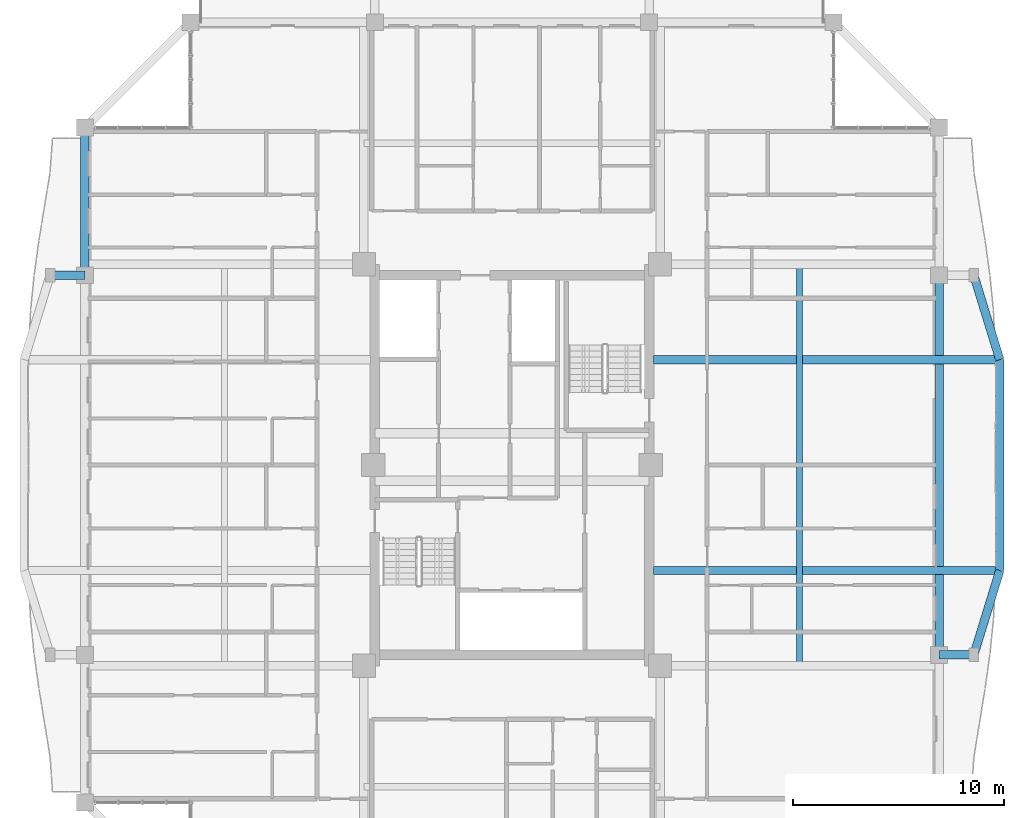
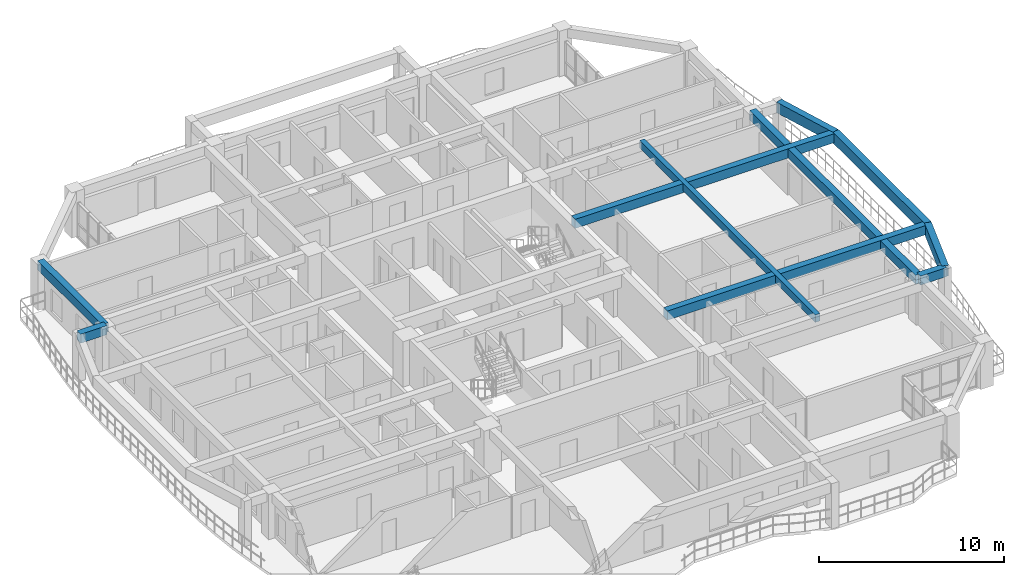
# One storey, part 5 of 21: 10 beams.
"""IFC4 building model written with IfcOpenShell, lengths in metres."""

from ifc_helpers import new_model, si_unit, direction, frame, origin, origin_2d, place, context, subcontext, project, spatial, rectangle, extrude, source, transform, mapped, material, material_profile, profile_set, type_object, element, save


model = new_model("IFC4")

# Units and contexts
model_context = context("Model", 3, precision=1e-05, world=origin(), true_north=direction((0.0, 1.0)))
body_context = subcontext(model_context, "Body", "Model", "MODEL_VIEW")
ifc_project = project(units=[si_unit("LENGTHUNIT", "METRE"), si_unit("AREAUNIT", "SQUARE_METRE"), si_unit("VOLUMEUNIT", "CUBIC_METRE"), si_unit("PLANEANGLEUNIT", "RADIAN"), si_unit("MASSUNIT", "GRAM", prefix="KILO")], contexts=[model_context])

# Site, building, storey
site_placement = place(None, origin())
site = spatial("IfcSite", under=ifc_project, at=site_placement, CompositionType="ELEMENT")
building_placement = place(site_placement, origin())
building = spatial("IfcBuilding", under=site, at=building_placement, Name="Saelheon Loggia Tower", CompositionType="ELEMENT")
storey_placement = place(building_placement, frame((0.0, 0.0, 186.699951171875)))
storey = spatial("IfcBuildingStorey", under=building, at=storey_placement, Name="L58", CompositionType="ELEMENT", Elevation=186.699951171875)

# Beams
ifc_material_1 = material(Name="Concrete C40/50", Category="concrete")
ifc_material_profile_1 = material_profile(ifc_material_1, rectangle(XDim=0.300048828125, YDim=0.5, at=origin_2d()), Name="RC-300x500")
ifc_profile_set_1 = profile_set([ifc_material_profile_1], Name="Concrete C40/50")
beam_type_1 = type_object("IfcBeamType", Name="Beam_Joist_RC300x500", PredefinedType="JOIST", material=ifc_profile_set_1)
shared_shape_1 = source(origin(), body_context, "Body", "SweptSolid", [
    extrude(rectangle(XDim=0.300048828125, YDim=0.5, at=origin_2d()), origin(), (0.0, 0.0, 1.0), 19.0400390625),
])
beam_1_placement = place(storey_placement, frame((51.635009765625, 17.47998046875, 2.75), z_axis=(0.0, 1.0, 0.0), x_axis=(-1.0, 0.0, 0.0)))
element("IfcBeam", 1, at=beam_1_placement, inside=storey, type_object=beam_type_1, Name="L58 East Floor Joist", PredefinedType="JOIST", context=body_context, shape_type="MappedRepresentation", body=[
    mapped(shared_shape_1, transform((0.0, 0.0, 0.0), scale=1.0)),
])
ifc_material_2 = material(Name="Precast Concrete C45/55", Category="concrete")
ifc_material_profile_2 = material_profile(ifc_material_2, rectangle(XDim=0.39990234375, YDim=0.60009765625, at=origin_2d()), Name="RC-400x600")
ifc_profile_set_2 = profile_set([ifc_material_profile_2], Name="Precast Concrete C45/55")
beam_type_2 = type_object("IfcBeamType", Name="Beam_LoggiaTie_RC400x600", PredefinedType="BEAM", material=ifc_profile_set_2)
shared_shape_2 = source(origin(), body_context, "Body", "SweptSolid", [
    extrude(rectangle(XDim=0.39990234375, YDim=0.60009765625, at=origin_2d()), origin(), (0.0, 0.0, 1.0), 1.64990234375),
])
for number, where, z_axis, x_axis, name in (
    (2, (58.25, 18.0, 2.699951171875), (1.0, 0.0, 0.0), (0.0, 1.0, 0.0), "L58 Loggia Frame Tie Beam LP-E1"),
    (3, (17.75, 36.0, 2.699951171875), (-1.0, 0.0, 0.0), (0.0, -1.0, 0.0), "L58 Loggia Frame Tie Beam LP-W2"),
):
    element("IfcBeam", number, at=place(storey_placement, frame(where, z_axis=z_axis, x_axis=x_axis)), inside=storey, type_object=beam_type_2, Name=name, PredefinedType="BEAM", context=body_context, shape_type="MappedRepresentation", body=[
        mapped(shared_shape_2, transform((0.0, 0.0, 0.0), scale=1.0)),
    ])
shared_shape_3 = source(origin(), body_context, "Body", "SweptSolid", [
    extrude(rectangle(XDim=0.39990234375, YDim=0.60009765625, at=origin_2d()), origin(), (0.0, 0.0, 1.0), 16.409912109375),
])
for number, where, z_axis, x_axis, name in (
    (4, (44.719970703125, 22.0, 2.699951171875), (1.0, 0.0, 0.0), (0.0, 1.0, 0.0), "L58 Curved Facade Outrigger Beam E 1"),
    (5, (44.719970703125, 32.0, 2.699951171875), (1.0, 0.0, 0.0), (0.0, 1.0, 0.0), "L58 Curved Facade Outrigger Beam E 2"),
):
    element("IfcBeam", number, at=place(storey_placement, frame(where, z_axis=z_axis, x_axis=x_axis)), inside=storey, type_object=beam_type_2, Name=name, PredefinedType="BEAM", context=body_context, shape_type="MappedRepresentation", body=[
        mapped(shared_shape_3, transform((0.0, 0.0, 0.0), scale=1.0)),
    ])
ifc_material_profile_3 = material_profile(ifc_material_2, rectangle(XDim=0.39990234375, YDim=0.699951171875, at=origin_2d()), Name="RC-400x700")
ifc_profile_set_3 = profile_set([ifc_material_profile_3], Name="Precast Concrete C45/55")
beam_type_3 = type_object("IfcBeamType", Name="Beam_LoggiaSpandrel_RC400x700", PredefinedType="SPANDREL", material=ifc_profile_set_3)
shared_shape_4 = source(origin(), body_context, "Body", "SweptSolid", [
    extrude(rectangle(XDim=0.39990234375, YDim=0.699951171875, at=origin_2d()), origin(), (0.0, 0.0, 1.0), 4.184814453125),
])
for number, where, z_axis, x_axis, name in (
    (6, (59.89990234375, 18.0, 2.650146484375), (0.293913664135, 0.955831971653, 0.0), (-0.955831971653, 0.293913664135, 0.0), "L58 Curved Loggia Spandrel E 1"),
    (7, (61.1298828125, 32.0, 2.650146484375), (-0.293913664135, 0.955831971653, 0.0), (-0.955831971653, -0.293913664135, 0.0), "L58 Curved Loggia Spandrel E 3"),
):
    element("IfcBeam", number, at=place(storey_placement, frame(where, z_axis=z_axis, x_axis=x_axis)), inside=storey, type_object=beam_type_3, Name=name, PredefinedType="SPANDREL", context=body_context, shape_type="MappedRepresentation", body=[
        mapped(shared_shape_4, transform((0.0, 0.0, 0.0), scale=1.0)),
    ])
shared_shape_5 = source(origin(), body_context, "Body", "SweptSolid", [
    extrude(rectangle(XDim=0.39990234375, YDim=0.699951171875, at=origin_2d()), origin(), (0.0, 0.0, 1.0), 10.0),
])
beam_2_placement = place(storey_placement, frame((61.1298828125, 22.0, 2.650146484375), z_axis=(0.0, 1.0, 0.0), x_axis=(-1.0, 0.0, 0.0)))
element("IfcBeam", 8, at=beam_2_placement, inside=storey, type_object=beam_type_3, Name="L58 Curved Loggia Spandrel E 2", PredefinedType="SPANDREL", context=body_context, shape_type="MappedRepresentation", body=[
    mapped(shared_shape_5, transform((0.0, 0.0, 0.0), scale=1.0)),
])
ifc_material_profile_4 = material_profile(ifc_material_1, rectangle(XDim=0.39990234375, YDim=0.60009765625, at=origin_2d()), Name="RC-400x600")
ifc_profile_set_4 = profile_set([ifc_material_profile_4], Name="Concrete C40/50")
beam_type_4 = type_object("IfcBeamType", Name="Beam_PerimUpper_RC400x600", PredefinedType="BEAM", material=ifc_profile_set_4)
shared_shape_6 = source(origin(), body_context, "Body", "SweptSolid", [
    extrude(rectangle(XDim=0.39990234375, YDim=0.60009765625, at=origin_2d()), origin(), (0.0, 0.0, 1.0), 7.0),
])
beam_3_placement = place(storey_placement, frame((17.75, 43.0, 2.699951171875), z_axis=(0.0, -1.0, 0.0), x_axis=(1.0, 0.0, 0.0)))
element("IfcBeam", 9, at=beam_3_placement, inside=storey, type_object=beam_type_4, Name="L58 Perimeter Frame Girder 13", PredefinedType="BEAM", context=body_context, shape_type="MappedRepresentation", body=[
    mapped(shared_shape_6, transform((0.0, 0.0, 0.0), scale=1.0)),
])
shared_shape_7 = source(origin(), body_context, "Body", "SweptSolid", [
    extrude(rectangle(XDim=0.39990234375, YDim=0.60009765625, at=origin_2d()), origin(), (0.0, 0.0, 1.0), 18.0),
])
beam_4_placement = place(storey_placement, frame((58.25, 18.0, 2.699951171875), z_axis=(0.0, 1.0, 0.0), x_axis=(-1.0, 0.0, 0.0)))
element("IfcBeam", 10, at=beam_4_placement, inside=storey, type_object=beam_type_4, Name="L58 Perimeter Frame Girder 06", PredefinedType="BEAM", context=body_context, shape_type="MappedRepresentation", body=[
    mapped(shared_shape_7, transform((0.0, 0.0, 0.0), scale=1.0)),
])

save(model, "model.ifc")
